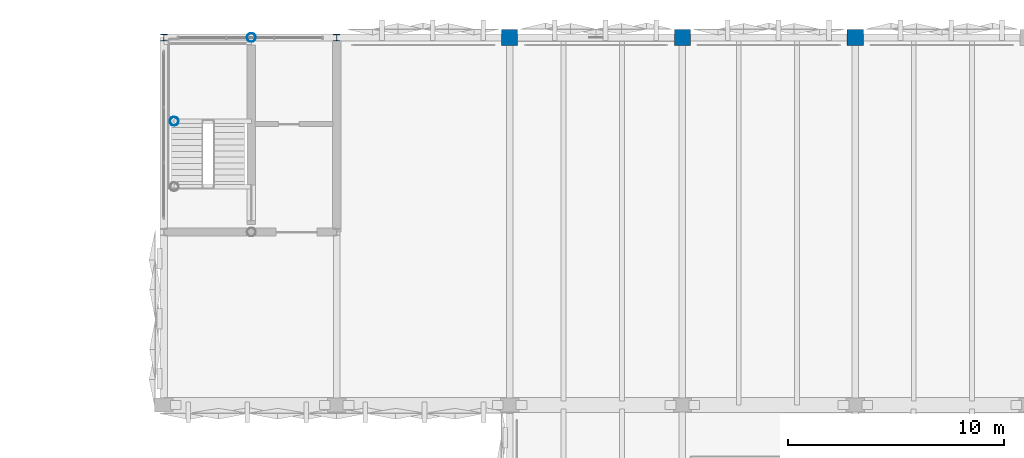
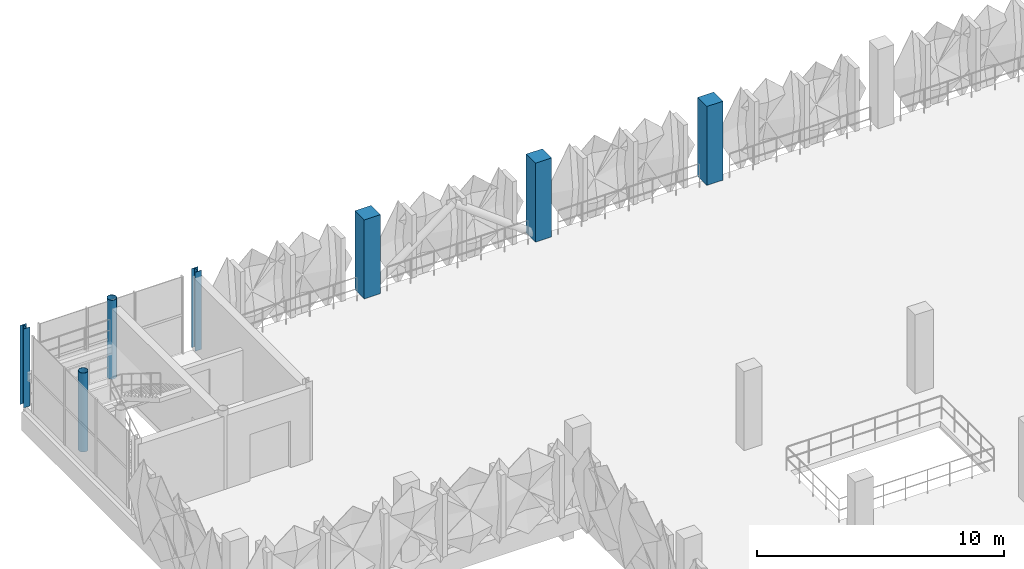
# One storey, part 7 of 83: 7 columns.
"""IFC4 building model written with IfcOpenShell, lengths in metres."""

import ifcopenshell
import ifcopenshell.guid

model = None  # the IFC model being written
_history = None  # IfcOwnerHistory: only IFC2X3 demands one
_inside = {}  # id of a spatial element -> (the spatial element, [elements in it])
_under = {}  # id of a project, library or spatial element -> (it, [spatial elements below it])
_declared = {}  # id of a project -> (the project, [libraries it declares])
_typed = {}  # id of a type object -> (the type object, [elements of that type])
_made_of = {}  # id of a material, layer set ... -> (it, [elements and type objects made of it])


def new_model(schema):
    """Start an empty IFC model of exactly this schema.

    Asked for "IFC4X3", IfcOpenShell would pick the latest addendum, in which some entities
    have other attributes; the version numbers below select the first issue.
    IFC2X3 requires an IfcOwnerHistory on every rooted entity: one is made here for all.
    """
    global model, _history
    if schema == "IFC4X3":
        model = ifcopenshell.file(schema_version=(4, 3, 0, 0))
    else:
        model = ifcopenshell.file(schema=schema)
    _inside.clear()
    _under.clear()
    _declared.clear()
    _typed.clear()
    _made_of.clear()
    _history = None
    if model.schema == "IFC2X3":
        org = make("IfcOrganization", Name="unknown")
        user = make(
            "IfcPersonAndOrganization",
            ThePerson=make("IfcPerson", FamilyName="unknown"),
            TheOrganization=org,
        )
        app = make(
            "IfcApplication",
            ApplicationDeveloper=org,
            Version="unknown",
            ApplicationFullName="unknown",
            ApplicationIdentifier="unknown",
        )
        _history = make(
            "IfcOwnerHistory",
            OwningUser=user,
            OwningApplication=app,
            ChangeAction="ADDED",
            CreationDate=0,
        )
    return model


def make(cls, **values):
    """One entity of the class cls with the attributes given. An attribute that is None is left unset."""
    return model.create_entity(
        cls, **{name: value for name, value in values.items() if value is not None}
    )


def rooted(cls, **values):
    """An entity with a GlobalId (a new one), such as an element, a storey or a relation."""
    return make(cls, GlobalId=ifcopenshell.guid.new(), OwnerHistory=_history, **values)


def si_unit(unit_type, name, prefix=None):
    """IfcSIUnit, for example si_unit("LENGTHUNIT", "METRE", prefix="MILLI")."""
    return make("IfcSIUnit", UnitType=unit_type, Prefix=prefix, Name=name)


def derived_unit(unit_type, elements):
    """IfcDerivedUnit: a product of units, each with its exponent."""
    return make(
        "IfcDerivedUnit",
        Elements=[
            make("IfcDerivedUnitElement", Unit=unit, Exponent=power)
            for unit, power in elements
        ],
        UnitType=unit_type,
    )


def assignment(units):
    """IfcUnitAssignment: the units of a project."""
    return None if units is None else make("IfcUnitAssignment", Units=units)


def point(xyz):
    """IfcCartesianPoint."""
    return None if xyz is None else make("IfcCartesianPoint", Coordinates=xyz)


def direction(xyz):
    """IfcDirection."""
    return None if xyz is None else make("IfcDirection", DirectionRatios=xyz)


def frame(location, z_axis=None, x_axis=None):
    """IfcAxis2Placement3D, a coordinate frame: its origin and axes. An axis left out is left unset."""
    return make(
        "IfcAxis2Placement3D",
        Location=point(location),
        Axis=direction(z_axis),
        RefDirection=direction(x_axis),
    )


def frame_2d(location, x_axis=None):
    """IfcAxis2Placement2D, a coordinate frame in the plane: its origin and x axis."""
    return make(
        "IfcAxis2Placement2D", Location=point(location), RefDirection=direction(x_axis)
    )


def origin():
    """The frame at (0, 0, 0) with its axes left unset."""
    return frame((0.0, 0.0, 0.0))


def origin_2d():
    """The frame at (0, 0) in the plane with its x axis left unset."""
    return frame_2d((0.0, 0.0))


def place(relative_to, where):
    """IfcLocalPlacement: puts the frame where relative to a parent placement (None: the world)."""
    return make(
        "IfcLocalPlacement", PlacementRelTo=relative_to, RelativePlacement=where
    )


def context(
    kind, dimensions, precision=None, world=None, true_north=None, identifier=None
):
    """IfcGeometricRepresentationContext, for example the 3D "Model" context."""
    return make(
        "IfcGeometricRepresentationContext",
        ContextIdentifier=identifier,
        ContextType=kind,
        CoordinateSpaceDimension=dimensions,
        Precision=precision,
        WorldCoordinateSystem=world,
        TrueNorth=true_north,
    )


def subcontext(parent, identifier, kind, view, scale=None):
    """IfcGeometricRepresentationSubContext, for example "Body" below "Model"."""
    return make(
        "IfcGeometricRepresentationSubContext",
        ContextIdentifier=identifier,
        ContextType=kind,
        ParentContext=parent,
        TargetScale=scale,
        TargetView=view,
    )


def project(units=None, contexts=None):
    """IfcProject with its units and contexts."""
    return rooted(
        "IfcProject",
        Name="project",
        RepresentationContexts=contexts,
        UnitsInContext=assignment(units),
    )


def spatial(cls, under=None, at=None, **own):
    """A site, building, storey or space (cls), placed at a placement, below another one or the project."""
    s = rooted(cls, ObjectPlacement=at, **own)
    if under is not None:
        _under.setdefault(under.id(), (under, []))[1].append(s)
    return s


def profile(cls, at=None, kind="AREA", **sizes):
    """A parametric profile (cls). Its sizes go by their IFC names, for example OverallWidth=200.0."""
    return make(cls, ProfileType=kind, Position=at, **sizes)


def rectangle(**sizes):
    """IfcRectangleProfileDef."""
    return profile("IfcRectangleProfileDef", **sizes)


def hollow_circle(**sizes):
    """IfcCircleHollowProfileDef."""
    return profile("IfcCircleHollowProfileDef", **sizes)


def i_section(**sizes):
    """IfcIShapeProfileDef."""
    return profile("IfcIShapeProfileDef", **sizes)


def extrude(swept, where, along, depth):
    """IfcExtrudedAreaSolid: the profile swept, set in the frame where, extruded along a direction by depth."""
    return make(
        "IfcExtrudedAreaSolid",
        SweptArea=swept,
        Position=where,
        ExtrudedDirection=direction(along),
        Depth=depth,
    )


def shape(context_of_items, identifier, shape_type, items):
    """IfcShapeRepresentation: the items that make up one representation, for example the "Body"."""
    return make(
        "IfcShapeRepresentation",
        ContextOfItems=context_of_items,
        RepresentationIdentifier=identifier,
        RepresentationType=shape_type,
        Items=items,
    )


def material(Name=None, Category=None):
    """IfcMaterial."""
    return make("IfcMaterial", Name=Name, Category=Category)


def material_profile(
    of_material, cross_section, Name=None, Category=None, Priority=None
):
    """IfcMaterialProfile: a cross section and its material."""
    return make(
        "IfcMaterialProfile",
        Name=Name,
        Material=of_material,
        Profile=cross_section,
        Priority=Priority,
        Category=Category,
    )


def profile_set(profiles, Name=None, composite=None):
    """IfcMaterialProfileSet."""
    return make(
        "IfcMaterialProfileSet",
        Name=Name,
        MaterialProfiles=profiles,
        CompositeProfile=composite,
    )


def made_of(thing, what):
    """Note that an element or type object is made of a material, layer set ...; save() writes the relation."""
    if what is not None:
        _made_of.setdefault(what.id(), (what, []))[1].append(thing)
    return thing


def type_object(cls, material=None, **own):
    """A type object (cls), such as IfcWallType, which elements share."""
    return made_of(rooted(cls, **own), material)


def element(
    cls,
    number,
    at=None,
    inside=None,
    cuts=None,
    type_object=None,
    material=None,
    context=None,
    identifier="Body",
    shape_type=None,
    held_by="IfcProductDefinitionShape",
    body=None,
    shapes=None,
    **own,
):
    """One element of the class cls, such as IfcWall. Its Tag is "e" and its number.

    at: its placement. inside: the storey or other place that contains it. cuts: it is an
    opening in that element (IfcRelVoidsElement). A single representation is given by context,
    identifier, shape_type and body (its items); several are given by shapes. held_by: the class
    of the entity that holds the representations. save() writes the other relations.
    """
    e = rooted(cls, Tag="e%d" % number, ObjectPlacement=at, **own)
    if body is not None:
        shapes = [shape(context, identifier, shape_type, body)]
    if shapes is not None:
        e.Representation = make(held_by, Representations=shapes)
    if inside is not None:
        _inside.setdefault(inside.id(), (inside, []))[1].append(e)
    if cuts is not None:
        rooted(
            "IfcRelVoidsElement", RelatingBuildingElement=cuts, RelatedOpeningElement=e
        )
    if type_object is not None:
        _typed.setdefault(type_object.id(), (type_object, []))[1].append(e)
    return made_of(e, material)


def aggregate(whole, parts):
    """IfcRelAggregates: a whole, such as a stair, and the parts it consists of."""
    return rooted("IfcRelAggregates", RelatingObject=whole, RelatedObjects=parts)


def save(model, path):
    """Write the relations noted so far, then the file.

    IfcRelAggregates (storeys below a building ...), IfcRelContainedInSpatialStructure (elements
    in a storey), IfcRelDefinesByType, IfcRelAssociatesMaterial and IfcRelDeclares: one each for
    every whole, place, type object, material and project.
    """
    for whole, parts in _under.values():
        aggregate(whole, parts)
    for where, things in _inside.values():
        rooted(
            "IfcRelContainedInSpatialStructure",
            RelatedElements=things,
            RelatingStructure=where,
        )
    for kind, things in _typed.values():
        rooted("IfcRelDefinesByType", RelatedObjects=things, RelatingType=kind)
    for what, things in _made_of.values():
        rooted("IfcRelAssociatesMaterial", RelatedObjects=things, RelatingMaterial=what)
    for by, libraries in _declared.values():
        rooted("IfcRelDeclares", RelatingContext=by, RelatedDefinitions=libraries)
    model.write(path)


model = new_model("IFC4")

# Units and contexts
model_context = context("Model", 3, precision=1e-05, world=origin(), true_north=direction((0.0, 1.0)))
body_context = subcontext(model_context, "Body", "Model", "MODEL_VIEW")
ifc_project = project(units=[si_unit("LENGTHUNIT", "METRE"), si_unit("AREAUNIT", "SQUARE_METRE"), si_unit("VOLUMEUNIT", "CUBIC_METRE"), si_unit("PLANEANGLEUNIT", "RADIAN"), si_unit("MASSUNIT", "GRAM", prefix="KILO"), si_unit("THERMODYNAMICTEMPERATUREUNIT", "KELVIN"), derived_unit("THERMALTRANSMITTANCEUNIT", [(si_unit("POWERUNIT", "WATT"), 1), (si_unit("AREAUNIT", "SQUARE_METRE"), -1), (si_unit("THERMODYNAMICTEMPERATUREUNIT", "KELVIN"), -1)])], contexts=[model_context])

# Site, building, storey
site_placement = place(None, origin())
site = spatial("IfcSite", under=ifc_project, at=site_placement, CompositionType="ELEMENT")
building_placement = place(site_placement, origin())
building = spatial("IfcBuilding", under=site, at=building_placement, Name="Haiyu Intermodal Mobility Hub", CompositionType="ELEMENT")
storey_placement = place(building_placement, frame((0.0, 0.0, 13.39990234375)))
storey = spatial("IfcBuildingStorey", under=building, at=storey_placement, Name="L03", CompositionType="ELEMENT", Elevation=13.39990234375)

# Columns
ifc_material_1 = material(Name="Precast concrete C40", Category="concrete")
ifc_material_profile_1 = material_profile(ifc_material_1, rectangle(XDim=0.75, YDim=0.75, at=origin_2d()), Name="RC750x750")
ifc_profile_set_1 = profile_set([ifc_material_profile_1], Name="Precast concrete C40")
column_type_1 = type_object("IfcColumnType", Name="COL-CC03-EXT", PredefinedType="COLUMN", material=ifc_profile_set_1)
for number, where, z_axis, x_axis, name in (
    (1, (38.0, 148.0, 0.0), (0.0, 0.0, 1.0), (1.0, 0.0, 0.0), "Column V4-4S L03"),
    (2, (46.0, 148.0, 0.0), (0.0, 0.0, 1.0), (1.0, 0.0, 0.0), "Column V4-5S L03"),
    (3, (54.0, 148.0, 0.0), (0.0, 0.0, 1.0), (1.0, 0.0, 0.0), "Column V4-6S L03"),
):
    element("IfcColumn", number, at=place(storey_placement, frame(where, z_axis=z_axis, x_axis=x_axis)), inside=storey, type_object=column_type_1, Name=name, PredefinedType="COLUMN", context=body_context, shape_type="SweptSolid", body=[
        extrude(rectangle(XDim=0.75, YDim=0.75, at=origin_2d()), origin(), (0.0, 0.0, 1.0), 3.900146484375),
    ])
ifc_material_2 = material(Name="Steel Q355C", Category="steel")
ifc_material_profile_2 = material_profile(ifc_material_2, hollow_circle(Radius=0.202880859375, WallThickness=0.013916015625, at=origin_2d()), Name="CHS406x14")
ifc_profile_set_2 = profile_set([ifc_material_profile_2], Name="Steel Q355C")
column_type_2 = type_object("IfcColumnType", Name="COL-SC03", PredefinedType="COLUMN", material=ifc_profile_set_2)
column_1_placement = place(storey_placement, frame((22.47998046875, 144.1298828125, 0.0), z_axis=(0.0, 0.0, 1.0), x_axis=(1.0, 0.0, 0.0)))
element("IfcColumn", 4, at=column_1_placement, inside=storey, type_object=column_type_2, Name="Column C3-WLP L03", PredefinedType="COLUMN", context=body_context, shape_type="SweptSolid", body=[
    extrude(hollow_circle(Radius=0.202880859375, WallThickness=0.013916015625, at=origin_2d()), origin(), (0.0, 0.0, 1.0), 3.900146484375),
])
ifc_material_profile_3 = material_profile(ifc_material_2, hollow_circle(Radius=0.202880859375, WallThickness=0.013916015625, at=origin_2d()), Name="CHS406x14")
ifc_profile_set_3 = profile_set([ifc_material_profile_3], Name="Steel Q355C")
column_type_3 = type_object("IfcColumnType", Name="COL-SC03-EXT", PredefinedType="COLUMN", material=ifc_profile_set_3)
column_2_placement = place(storey_placement, frame((26.050048828125, 148.0, 0.0), z_axis=(0.0, 0.0, 1.0), x_axis=(1.0, 0.0, 0.0)))
element("IfcColumn", 5, at=column_2_placement, inside=storey, type_object=column_type_3, Name="Column C3-MN L03", PredefinedType="COLUMN", context=body_context, shape_type="SweptSolid", body=[
    extrude(hollow_circle(Radius=0.202880859375, WallThickness=0.013916015625, at=origin_2d()), origin(), (0.0, 0.0, 1.0), 3.900146484375),
])
ifc_material_profile_4 = material_profile(ifc_material_2, i_section(OverallWidth=0.300048828125, OverallDepth=0.300048828125, WebThickness=0.010009765625, FlangeThickness=0.014892578125, FilletRadius=0.01806640625, at=origin_2d()), Name="HW300x300x10x15")
ifc_profile_set_4 = profile_set([ifc_material_profile_4], Name="Steel Q355C")
column_type_4 = type_object("IfcColumnType", Name="COL-SC07-EXT", PredefinedType="COLUMN", material=ifc_profile_set_4)
for number, where, z_axis, x_axis, name in (
    (6, (22.0, 148.0, 0.0), (0.0, 0.0, 1.0), (1.0, 0.0, 0.0), "Column C3-NW L03"),
    (7, (30.0, 148.0, 0.0), (0.0, 0.0, 1.0), (1.0, 0.0, 0.0), "Column C3-NE L03"),
):
    element("IfcColumn", number, at=place(storey_placement, frame(where, z_axis=z_axis, x_axis=x_axis)), inside=storey, type_object=column_type_4, Name=name, PredefinedType="COLUMN", context=body_context, shape_type="SweptSolid", body=[
        extrude(i_section(OverallWidth=0.300048828125, OverallDepth=0.300048828125, WebThickness=0.010009765625, FlangeThickness=0.014892578125, FilletRadius=0.01806640625, at=origin_2d()), origin(), (0.0, 0.0, 1.0), 3.900146484375),
    ])

save(model, "model.ifc")
